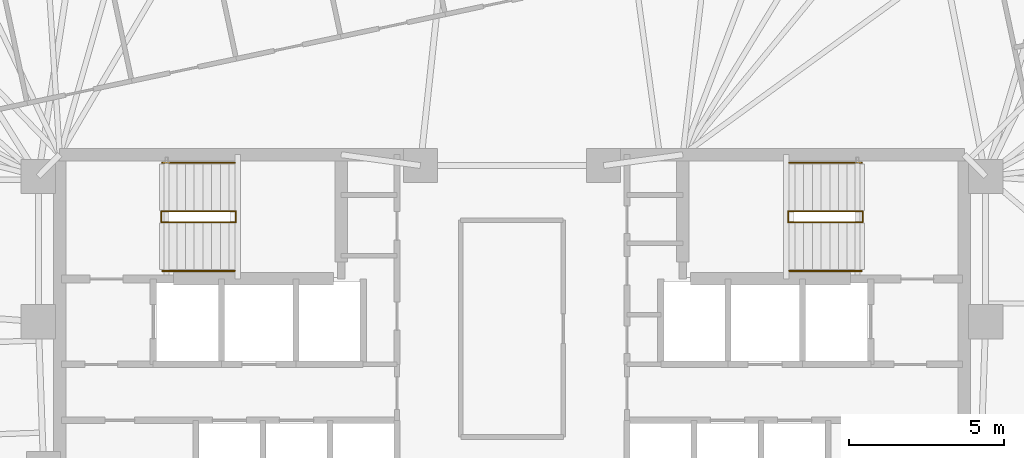
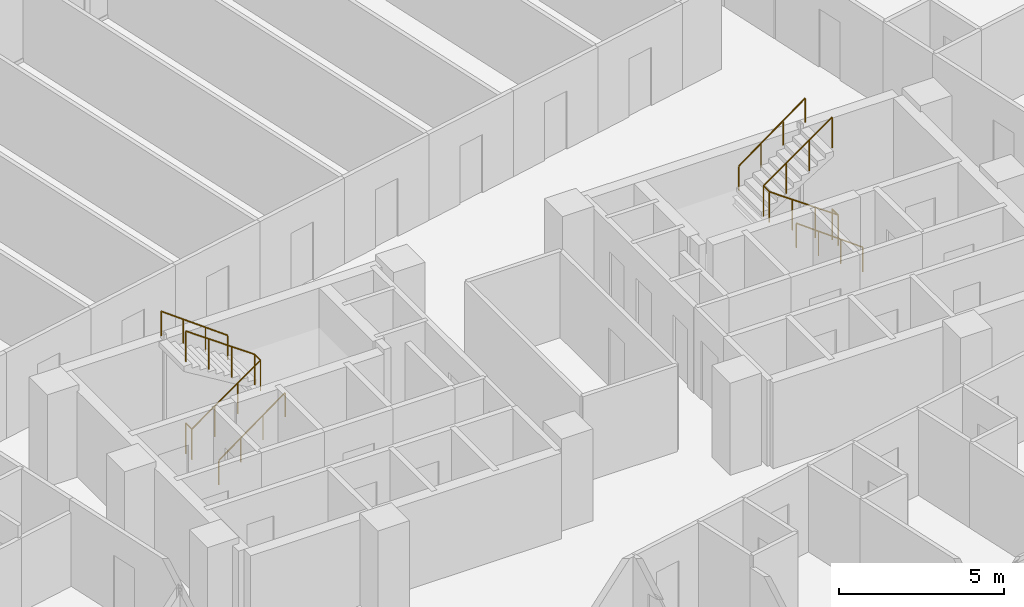
# One storey, part 21 of 21: 6 railings.
"""IFC4 building model written with IfcOpenShell, lengths in metres."""

from ifc_helpers import new_model, si_unit, direction, frame, origin, origin_2d, place, context, subcontext, project, spatial, circle, extrude, material, type_object, element, save


model = new_model("IFC4")

# Units and contexts
model_context = context("Model", 3, precision=1e-05, world=origin(), true_north=direction((0.0, 1.0)))
body_context = subcontext(model_context, "Body", "Model", "MODEL_VIEW")
ifc_project = project(units=[si_unit("LENGTHUNIT", "METRE"), si_unit("AREAUNIT", "SQUARE_METRE"), si_unit("VOLUMEUNIT", "CUBIC_METRE"), si_unit("PLANEANGLEUNIT", "RADIAN"), si_unit("MASSUNIT", "GRAM", prefix="KILO")], contexts=[model_context])

# Site, building, storey
site_placement = place(None, origin())
site = spatial("IfcSite", under=ifc_project, at=site_placement, CompositionType="ELEMENT")
building_placement = place(site_placement, origin())
building = spatial("IfcBuilding", under=site, at=building_placement, Name="Menara Jurai Vektor", CompositionType="ELEMENT")
storey_placement = place(building_placement, frame((0.0, 0.0, 188.800048828125)))
storey = spatial("IfcBuildingStorey", under=building, at=storey_placement, Name="L49", CompositionType="ELEMENT", Elevation=188.800048828125)

# Railings
ifc_material_1 = material(Name="Painted Galvanised Steel Balustrade", Category="steel")
railing_type_1 = type_object("IfcRailingType", Name="RAIL-STAIR-GUARD", PredefinedType="GUARDRAIL", material=ifc_material_1)
railing_1_placement = place(storey_placement, frame((-11.2900390625, 3.780029296875, 0.0)))
element("IfcRailing", 1, at=railing_1_placement, inside=storey, type_object=railing_type_1, Name="ST1 Stair Guardrail 1 L49", PredefinedType="GUARDRAIL", context=body_context, shape_type="SweptSolid", body=[
    extrude(circle(Radius=0.02392578125, at=origin_2d()), frame((0.0, 0.0, 1.1259765625), z_axis=(0.0, -1.0, 0.0), x_axis=(1.0, 0.0, 0.0)), (0.0, 0.0, 1.0), 0.360107421875),
    extrude(circle(Radius=0.02392578125, at=origin_2d()), frame((0.0, -0.360107421875, 1.1259765625), z_axis=(0.816048950856, 0.0, 0.577982793694), x_axis=(0.0, 1.0, 0.0)), (0.0, 0.0, 1.0), 2.941162109375),
    extrude(circle(Radius=0.02392578125, at=origin_2d()), frame((2.400146484375, -0.360107421875, 2.82568359375), z_axis=(0.0, 1.0, 0.0), x_axis=(-1.0, 0.0, 0.0)), (0.0, 0.0, 1.0), 0.360107421875),
    extrude(circle(Radius=0.02392578125, at=origin_2d()), frame((2.400146484375, 0.0, 2.82568359375), z_axis=(-0.816048950856, 0.0, 0.577982793694), x_axis=(0.0, -1.0, 0.0)), (0.0, 0.0, 1.0), 2.941162109375),
    extrude(circle(Radius=0.02099609375, at=origin_2d()), origin(), (0.0, 0.0, 1.0), 1.101806640625),
    extrude(circle(Radius=0.02099609375, at=origin_2d()), frame((0.0, -0.360107421875, 0.0)), (0.0, 0.0, 1.0), 1.101806640625),
    extrude(circle(Radius=0.02099609375, at=origin_2d()), frame((0.800048828125, -0.360107421875, 0.566650390625)), (0.0, 0.0, 1.0), 1.101806640625),
    extrude(circle(Radius=0.02099609375, at=origin_2d()), frame((1.60009765625, -0.360107421875, 1.13330078125)), (0.0, 0.0, 1.0), 1.101806640625),
    extrude(circle(Radius=0.02099609375, at=origin_2d()), frame((2.400146484375, -0.360107421875, 1.699951171875)), (0.0, 0.0, 1.0), 1.101806640625),
    extrude(circle(Radius=0.02099609375, at=origin_2d()), frame((2.400146484375, 0.0, 1.699951171875)), (0.0, 0.0, 1.0), 1.101806640625),
    extrude(circle(Radius=0.02099609375, at=origin_2d()), frame((1.60009765625, 0.0, 2.2666015625)), (0.0, 0.0, 1.0), 1.101806640625),
    extrude(circle(Radius=0.02099609375, at=origin_2d()), frame((0.800048828125, 0.0, 2.833251953125)), (0.0, 0.0, 1.0), 1.101806640625),
    extrude(circle(Radius=0.02099609375, at=origin_2d()), frame((0.0, 0.0, 3.39990234375)), (0.0, 0.0, 1.0), 1.101806640625),
])
railing_2_placement = place(storey_placement, frame((11.2900390625, 3.780029296875, 0.0)))
element("IfcRailing", 2, at=railing_2_placement, inside=storey, type_object=railing_type_1, Name="ST2 Stair Guardrail 1 L49", PredefinedType="GUARDRAIL", context=body_context, shape_type="SweptSolid", body=[
    extrude(circle(Radius=0.02392578125, at=origin_2d()), frame((0.0, 0.0, 1.1259765625), z_axis=(0.0, -1.0, 0.0), x_axis=(1.0, 0.0, 0.0)), (0.0, 0.0, 1.0), 0.360107421875),
    extrude(circle(Radius=0.02392578125, at=origin_2d()), frame((0.0, -0.360107421875, 1.1259765625), z_axis=(-0.816048950856, 0.0, 0.577982793694), x_axis=(0.0, -1.0, 0.0)), (0.0, 0.0, 1.0), 2.941162109375),
    extrude(circle(Radius=0.02392578125, at=origin_2d()), frame((-2.400146484375, -0.360107421875, 2.82568359375), z_axis=(0.0, 1.0, 0.0), x_axis=(-1.0, 0.0, 0.0)), (0.0, 0.0, 1.0), 0.360107421875),
    extrude(circle(Radius=0.02392578125, at=origin_2d()), frame((-2.400146484375, 0.0, 2.82568359375), z_axis=(0.816048950856, 0.0, 0.577982793694), x_axis=(0.0, 1.0, 0.0)), (0.0, 0.0, 1.0), 2.941162109375),
    extrude(circle(Radius=0.02099609375, at=origin_2d()), origin(), (0.0, 0.0, 1.0), 1.101806640625),
    extrude(circle(Radius=0.02099609375, at=origin_2d()), frame((0.0, -0.360107421875, 0.0)), (0.0, 0.0, 1.0), 1.101806640625),
    extrude(circle(Radius=0.02099609375, at=origin_2d()), frame((-0.800048828125, -0.360107421875, 0.566650390625)), (0.0, 0.0, 1.0), 1.101806640625),
    extrude(circle(Radius=0.02099609375, at=origin_2d()), frame((-1.60009765625, -0.360107421875, 1.13330078125)), (0.0, 0.0, 1.0), 1.101806640625),
    extrude(circle(Radius=0.02099609375, at=origin_2d()), frame((-2.400146484375, -0.360107421875, 1.699951171875)), (0.0, 0.0, 1.0), 1.101806640625),
    extrude(circle(Radius=0.02099609375, at=origin_2d()), frame((-2.400146484375, 0.0, 1.699951171875)), (0.0, 0.0, 1.0), 1.101806640625),
    extrude(circle(Radius=0.02099609375, at=origin_2d()), frame((-1.60009765625, 0.0, 2.2666015625)), (0.0, 0.0, 1.0), 1.101806640625),
    extrude(circle(Radius=0.02099609375, at=origin_2d()), frame((-0.800048828125, 0.0, 2.833251953125)), (0.0, 0.0, 1.0), 1.101806640625),
    extrude(circle(Radius=0.02099609375, at=origin_2d()), frame((0.0, 0.0, 3.39990234375)), (0.0, 0.0, 1.0), 1.101806640625),
])
ifc_material_2 = material(Name="Brushed Stainless Steel Handrail", Category="steel")
railing_type_2 = type_object("IfcRailingType", Name="RAIL-STAIR-HAND", PredefinedType="HANDRAIL", material=ifc_material_2)
railing_3_placement = place(storey_placement, frame((-11.25, 1.860107421875, 0.0)))
element("IfcRailing", 3, at=railing_3_placement, inside=storey, type_object=railing_type_2, Name="ST1 Stair Handrail 1 L49", PredefinedType="HANDRAIL", context=body_context, shape_type="SweptSolid", body=[
    extrude(circle(Radius=0.02392578125, at=origin_2d()), frame((0.0, 0.0, 0.89599609375), z_axis=(0.806642406755, 0.0, 0.591039785145), x_axis=(0.0, 1.0, 0.0)), (0.0, 0.0, 1.0), 2.876220703125),
    extrude(circle(Radius=0.02099609375, at=origin_2d()), origin(), (0.0, 0.0, 1.0), 0.871826171875),
    extrude(circle(Radius=0.02099609375, at=origin_2d()), frame((0.7734375, 0.0, 0.566650390625)), (0.0, 0.0, 1.0), 0.871826171875),
    extrude(circle(Radius=0.02099609375, at=origin_2d()), frame((1.546630859375, 0.0, 1.13330078125)), (0.0, 0.0, 1.0), 0.871826171875),
    extrude(circle(Radius=0.02099609375, at=origin_2d()), frame((2.320068359375, 0.0, 1.699951171875)), (0.0, 0.0, 1.0), 0.871826171875),
])
for number, where, name in (
    (4, (-8.929931640625, 5.340087890625, 1.699951171875), "ST1 Stair Handrail 2 L49"),
    (5, (11.25, 1.860107421875, 0.0), "ST2 Stair Handrail 1 L49"),
):
    element("IfcRailing", number, at=place(storey_placement, frame(where)), inside=storey, type_object=railing_type_2, Name=name, PredefinedType="HANDRAIL", context=body_context, shape_type="SweptSolid", body=[
        extrude(circle(Radius=0.02392578125, at=origin_2d()), frame((0.0, 0.0, 0.89599609375), z_axis=(-0.806642406755, 0.0, 0.591039785145), x_axis=(0.0, -1.0, 0.0)), (0.0, 0.0, 1.0), 2.876220703125),
        extrude(circle(Radius=0.02099609375, at=origin_2d()), origin(), (0.0, 0.0, 1.0), 0.871826171875),
        extrude(circle(Radius=0.02099609375, at=origin_2d()), frame((-0.7734375, 0.0, 0.566650390625)), (0.0, 0.0, 1.0), 0.871826171875),
        extrude(circle(Radius=0.02099609375, at=origin_2d()), frame((-1.546630859375, 0.0, 1.13330078125)), (0.0, 0.0, 1.0), 0.871826171875),
        extrude(circle(Radius=0.02099609375, at=origin_2d()), frame((-2.320068359375, 0.0, 1.699951171875)), (0.0, 0.0, 1.0), 0.871826171875),
    ])
railing_4_placement = place(storey_placement, frame((8.929931640625, 5.340087890625, 1.699951171875)))
element("IfcRailing", 6, at=railing_4_placement, inside=storey, type_object=railing_type_2, Name="ST2 Stair Handrail 2 L49", PredefinedType="HANDRAIL", context=body_context, shape_type="SweptSolid", body=[
    extrude(circle(Radius=0.02392578125, at=origin_2d()), frame((0.0, 0.0, 0.89599609375), z_axis=(0.806642406755, 0.0, 0.591039785145), x_axis=(0.0, 1.0, 0.0)), (0.0, 0.0, 1.0), 2.876220703125),
    extrude(circle(Radius=0.02099609375, at=origin_2d()), origin(), (0.0, 0.0, 1.0), 0.871826171875),
    extrude(circle(Radius=0.02099609375, at=origin_2d()), frame((0.7734375, 0.0, 0.566650390625)), (0.0, 0.0, 1.0), 0.871826171875),
    extrude(circle(Radius=0.02099609375, at=origin_2d()), frame((1.546630859375, 0.0, 1.13330078125)), (0.0, 0.0, 1.0), 0.871826171875),
    extrude(circle(Radius=0.02099609375, at=origin_2d()), frame((2.320068359375, 0.0, 1.699951171875)), (0.0, 0.0, 1.0), 0.871826171875),
])

save(model, "model.ifc")
